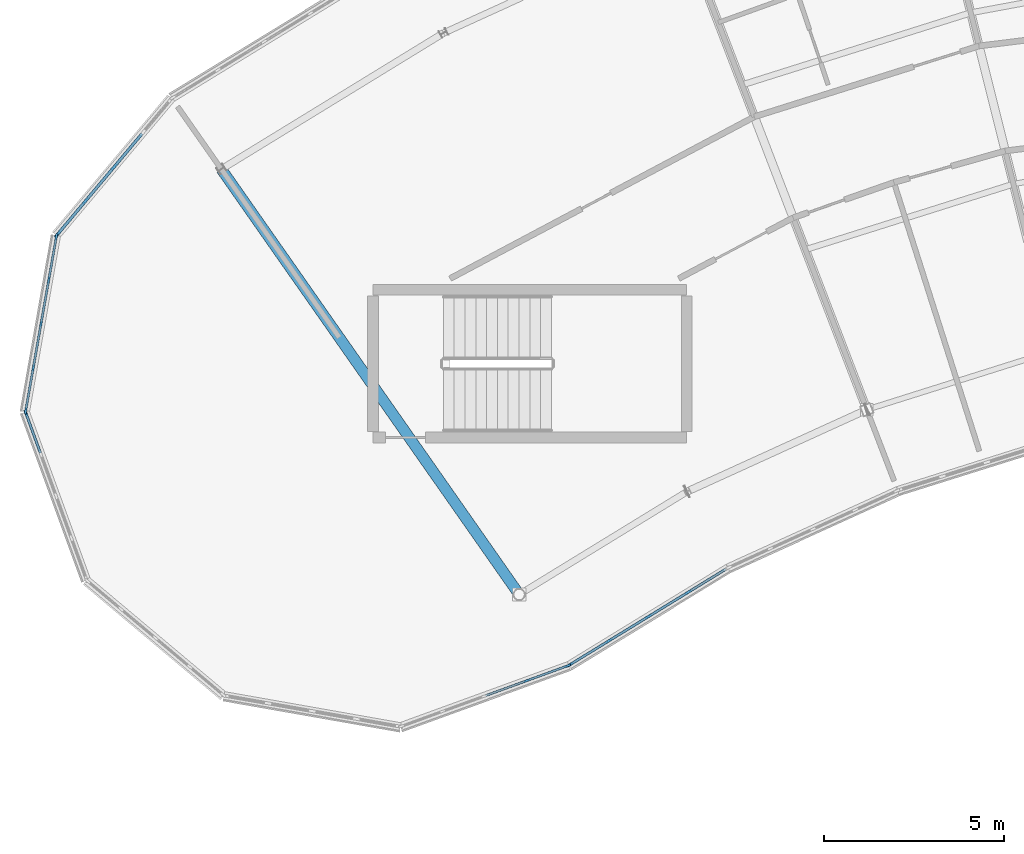
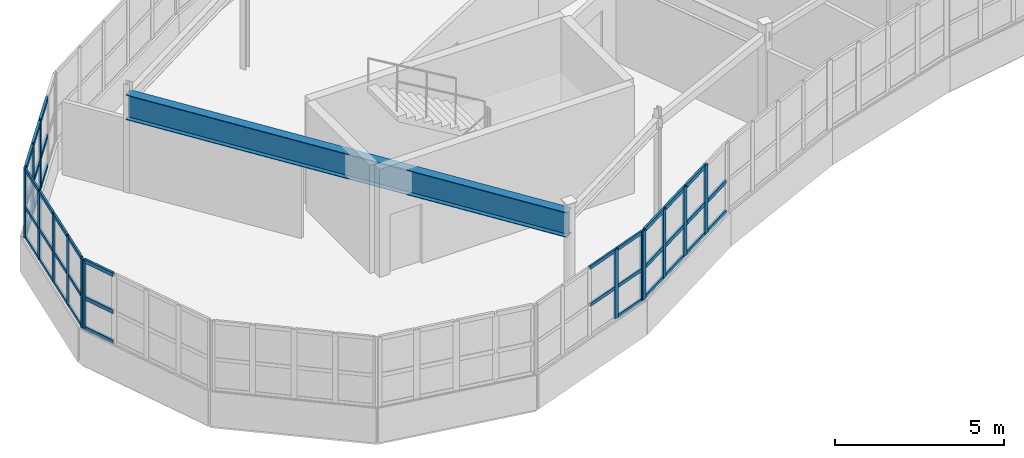
# One storey, part 33 of 79: 55 members, 1 beam, 5 elements without a shape of their own.
"""IFC4 building model written with IfcOpenShell, lengths in metres."""

import ifcopenshell
import ifcopenshell.guid

model = None  # the IFC model being written
_history = None  # IfcOwnerHistory: only IFC2X3 demands one
_inside = {}  # id of a spatial element -> (the spatial element, [elements in it])
_under = {}  # id of a project, library or spatial element -> (it, [spatial elements below it])
_declared = {}  # id of a project -> (the project, [libraries it declares])
_typed = {}  # id of a type object -> (the type object, [elements of that type])
_made_of = {}  # id of a material, layer set ... -> (it, [elements and type objects made of it])


def new_model(schema):
    """Start an empty IFC model of exactly this schema.

    Asked for "IFC4X3", IfcOpenShell would pick the latest addendum, in which some entities
    have other attributes; the version numbers below select the first issue.
    IFC2X3 requires an IfcOwnerHistory on every rooted entity: one is made here for all.
    """
    global model, _history
    if schema == "IFC4X3":
        model = ifcopenshell.file(schema_version=(4, 3, 0, 0))
    else:
        model = ifcopenshell.file(schema=schema)
    _inside.clear()
    _under.clear()
    _declared.clear()
    _typed.clear()
    _made_of.clear()
    _history = None
    if model.schema == "IFC2X3":
        org = make("IfcOrganization", Name="unknown")
        user = make(
            "IfcPersonAndOrganization",
            ThePerson=make("IfcPerson", FamilyName="unknown"),
            TheOrganization=org,
        )
        app = make(
            "IfcApplication",
            ApplicationDeveloper=org,
            Version="unknown",
            ApplicationFullName="unknown",
            ApplicationIdentifier="unknown",
        )
        _history = make(
            "IfcOwnerHistory",
            OwningUser=user,
            OwningApplication=app,
            ChangeAction="ADDED",
            CreationDate=0,
        )
    return model


def make(cls, **values):
    """One entity of the class cls with the attributes given. An attribute that is None is left unset."""
    return model.create_entity(
        cls, **{name: value for name, value in values.items() if value is not None}
    )


def rooted(cls, **values):
    """An entity with a GlobalId (a new one), such as an element, a storey or a relation."""
    return make(cls, GlobalId=ifcopenshell.guid.new(), OwnerHistory=_history, **values)


def si_unit(unit_type, name, prefix=None):
    """IfcSIUnit, for example si_unit("LENGTHUNIT", "METRE", prefix="MILLI")."""
    return make("IfcSIUnit", UnitType=unit_type, Prefix=prefix, Name=name)


def assignment(units):
    """IfcUnitAssignment: the units of a project."""
    return None if units is None else make("IfcUnitAssignment", Units=units)


def point(xyz):
    """IfcCartesianPoint."""
    return None if xyz is None else make("IfcCartesianPoint", Coordinates=xyz)


def direction(xyz):
    """IfcDirection."""
    return None if xyz is None else make("IfcDirection", DirectionRatios=xyz)


def frame(location, z_axis=None, x_axis=None):
    """IfcAxis2Placement3D, a coordinate frame: its origin and axes. An axis left out is left unset."""
    return make(
        "IfcAxis2Placement3D",
        Location=point(location),
        Axis=direction(z_axis),
        RefDirection=direction(x_axis),
    )


def frame_2d(location, x_axis=None):
    """IfcAxis2Placement2D, a coordinate frame in the plane: its origin and x axis."""
    return make(
        "IfcAxis2Placement2D", Location=point(location), RefDirection=direction(x_axis)
    )


def origin():
    """The frame at (0, 0, 0) with its axes left unset."""
    return frame((0.0, 0.0, 0.0))


def origin_2d():
    """The frame at (0, 0) in the plane with its x axis left unset."""
    return frame_2d((0.0, 0.0))


def place(relative_to, where):
    """IfcLocalPlacement: puts the frame where relative to a parent placement (None: the world)."""
    return make(
        "IfcLocalPlacement", PlacementRelTo=relative_to, RelativePlacement=where
    )


def context(
    kind, dimensions, precision=None, world=None, true_north=None, identifier=None
):
    """IfcGeometricRepresentationContext, for example the 3D "Model" context."""
    return make(
        "IfcGeometricRepresentationContext",
        ContextIdentifier=identifier,
        ContextType=kind,
        CoordinateSpaceDimension=dimensions,
        Precision=precision,
        WorldCoordinateSystem=world,
        TrueNorth=true_north,
    )


def subcontext(parent, identifier, kind, view, scale=None):
    """IfcGeometricRepresentationSubContext, for example "Body" below "Model"."""
    return make(
        "IfcGeometricRepresentationSubContext",
        ContextIdentifier=identifier,
        ContextType=kind,
        ParentContext=parent,
        TargetScale=scale,
        TargetView=view,
    )


def project(units=None, contexts=None):
    """IfcProject with its units and contexts."""
    return rooted(
        "IfcProject",
        Name="project",
        RepresentationContexts=contexts,
        UnitsInContext=assignment(units),
    )


def spatial(cls, under=None, at=None, **own):
    """A site, building, storey or space (cls), placed at a placement, below another one or the project."""
    s = rooted(cls, ObjectPlacement=at, **own)
    if under is not None:
        _under.setdefault(under.id(), (under, []))[1].append(s)
    return s


def profile(cls, at=None, kind="AREA", **sizes):
    """A parametric profile (cls). Its sizes go by their IFC names, for example OverallWidth=200.0."""
    return make(cls, ProfileType=kind, Position=at, **sizes)


def rectangle(**sizes):
    """IfcRectangleProfileDef."""
    return profile("IfcRectangleProfileDef", **sizes)


def i_section(**sizes):
    """IfcIShapeProfileDef."""
    return profile("IfcIShapeProfileDef", **sizes)


def extrude(swept, where, along, depth):
    """IfcExtrudedAreaSolid: the profile swept, set in the frame where, extruded along a direction by depth."""
    return make(
        "IfcExtrudedAreaSolid",
        SweptArea=swept,
        Position=where,
        ExtrudedDirection=direction(along),
        Depth=depth,
    )


def shape(context_of_items, identifier, shape_type, items):
    """IfcShapeRepresentation: the items that make up one representation, for example the "Body"."""
    return make(
        "IfcShapeRepresentation",
        ContextOfItems=context_of_items,
        RepresentationIdentifier=identifier,
        RepresentationType=shape_type,
        Items=items,
    )


def material(Name=None, Category=None):
    """IfcMaterial."""
    return make("IfcMaterial", Name=Name, Category=Category)


def layer(
    of_material, thickness, ventilated=None, Name=None, Category=None, Priority=None
):
    """IfcMaterialLayer: one layer of a wall or slab, of a material (None: an air gap)."""
    return make(
        "IfcMaterialLayer",
        Material=of_material,
        LayerThickness=thickness,
        IsVentilated=ventilated,
        Name=Name,
        Category=Category,
        Priority=Priority,
    )


def layer_set(layers, Name=None):
    """IfcMaterialLayerSet."""
    return make("IfcMaterialLayerSet", MaterialLayers=layers, LayerSetName=Name)


def material_profile(
    of_material, cross_section, Name=None, Category=None, Priority=None
):
    """IfcMaterialProfile: a cross section and its material."""
    return make(
        "IfcMaterialProfile",
        Name=Name,
        Material=of_material,
        Profile=cross_section,
        Priority=Priority,
        Category=Category,
    )


def profile_set(profiles, Name=None, composite=None):
    """IfcMaterialProfileSet."""
    return make(
        "IfcMaterialProfileSet",
        Name=Name,
        MaterialProfiles=profiles,
        CompositeProfile=composite,
    )


def made_of(thing, what):
    """Note that an element or type object is made of a material, layer set ...; save() writes the relation."""
    if what is not None:
        _made_of.setdefault(what.id(), (what, []))[1].append(thing)
    return thing


def type_object(cls, material=None, **own):
    """A type object (cls), such as IfcWallType, which elements share."""
    return made_of(rooted(cls, **own), material)


def element(
    cls,
    number,
    at=None,
    inside=None,
    cuts=None,
    type_object=None,
    material=None,
    context=None,
    identifier="Body",
    shape_type=None,
    held_by="IfcProductDefinitionShape",
    body=None,
    shapes=None,
    **own,
):
    """One element of the class cls, such as IfcWall. Its Tag is "e" and its number.

    at: its placement. inside: the storey or other place that contains it. cuts: it is an
    opening in that element (IfcRelVoidsElement). A single representation is given by context,
    identifier, shape_type and body (its items); several are given by shapes. held_by: the class
    of the entity that holds the representations. save() writes the other relations.
    """
    e = rooted(cls, Tag="e%d" % number, ObjectPlacement=at, **own)
    if body is not None:
        shapes = [shape(context, identifier, shape_type, body)]
    if shapes is not None:
        e.Representation = make(held_by, Representations=shapes)
    if inside is not None:
        _inside.setdefault(inside.id(), (inside, []))[1].append(e)
    if cuts is not None:
        rooted(
            "IfcRelVoidsElement", RelatingBuildingElement=cuts, RelatedOpeningElement=e
        )
    if type_object is not None:
        _typed.setdefault(type_object.id(), (type_object, []))[1].append(e)
    return made_of(e, material)


def aggregate(whole, parts):
    """IfcRelAggregates: a whole, such as a stair, and the parts it consists of."""
    return rooted("IfcRelAggregates", RelatingObject=whole, RelatedObjects=parts)


def save(model, path):
    """Write the relations noted so far, then the file.

    IfcRelAggregates (storeys below a building ...), IfcRelContainedInSpatialStructure (elements
    in a storey), IfcRelDefinesByType, IfcRelAssociatesMaterial and IfcRelDeclares: one each for
    every whole, place, type object, material and project.
    """
    for whole, parts in _under.values():
        aggregate(whole, parts)
    for where, things in _inside.values():
        rooted(
            "IfcRelContainedInSpatialStructure",
            RelatedElements=things,
            RelatingStructure=where,
        )
    for kind, things in _typed.values():
        rooted("IfcRelDefinesByType", RelatedObjects=things, RelatingType=kind)
    for what, things in _made_of.values():
        rooted("IfcRelAssociatesMaterial", RelatedObjects=things, RelatingMaterial=what)
    for by, libraries in _declared.values():
        rooted("IfcRelDeclares", RelatingContext=by, RelatedDefinitions=libraries)
    model.write(path)


model = new_model("IFC4")

# Units and contexts
model_context = context("Model", 3, precision=1e-05, world=origin(), true_north=direction((0.0, 1.0)))
body_context = subcontext(model_context, "Body", "Model", "MODEL_VIEW")
ifc_project = project(units=[si_unit("LENGTHUNIT", "METRE"), si_unit("AREAUNIT", "SQUARE_METRE"), si_unit("VOLUMEUNIT", "CUBIC_METRE"), si_unit("PLANEANGLEUNIT", "RADIAN"), si_unit("MASSUNIT", "GRAM", prefix="KILO")], contexts=[model_context])

# Site, building, storey
site_placement = place(None, origin())
site = spatial("IfcSite", under=ifc_project, at=site_placement, CompositionType="ELEMENT")
building_placement = place(site_placement, origin())
building = spatial("IfcBuilding", under=site, at=building_placement, Name="Tarnwether General Hospital", CompositionType="ELEMENT")
storey_placement = place(building_placement, frame((0.0, 0.0, 18.300048828125)))
storey = spatial("IfcBuildingStorey", under=building, at=storey_placement, Name="L04", CompositionType="ELEMENT", Elevation=18.300048828125)

# Beam
ifc_material_1 = material(Name="Steel Grade 350 (350 MPa)", Category="steel")
ifc_material_profile_1 = material_profile(ifc_material_1, i_section(OverallWidth=0.300048828125, OverallDepth=0.89990234375, WebThickness=0.011962890625, FlangeThickness=0.02001953125, at=origin_2d()), Name="900WB175")
ifc_profile_set_1 = profile_set([ifc_material_profile_1], Name="Steel Grade 350 (350 MPa)")
beam_type = type_object("IfcBeamType", Name="BM-G01", PredefinedType="BEAM", material=ifc_profile_set_1)
beam_placement = place(storey_placement, frame((58.0439453125, 111.493896484375, 3.10986328125), z_axis=(0.573596601347, -0.819137924237, 0.0), x_axis=(0.819137924237, 0.573596601347, 0.0)))
element("IfcBeam", 1, at=beam_placement, inside=storey, type_object=beam_type, Name="Curved Ward NW Radial Girder BMG-L04-5804_11149-6630_9970-1949", PredefinedType="BEAM", context=body_context, shape_type="SweptSolid", body=[
    extrude(i_section(OverallWidth=0.300048828125, OverallDepth=0.89990234375, WebThickness=0.011962890625, FlangeThickness=0.02001953125, at=origin_2d()), origin(), (0.0, 0.0, 1.0), 14.400390625),
])

# Curtain wall, members
ifc_material_2 = material(Name="Anodised aluminium", Category="aluminium")
ifc_layer = layer(ifc_material_2, 0.159912109375)
ifc_layer_set = layer_set([ifc_layer], Name="Anodised aluminium")
curtain_wall_type = type_object("IfcCurtainWallType", Name="CW-04", PredefinedType="NOTDEFINED", material=ifc_layer_set)
curtain_wall_1_placement = place(storey_placement, origin())
curtain_wall_1 = element("IfcCurtainWall", 2, at=curtain_wall_1_placement, inside=storey, type_object=curtain_wall_type, Name="Curtain Wall CWG-L04-526_1048-0033", PredefinedType="NOTDEFINED")
ifc_material_3 = material(Name="Anodised aluminium", Category="aluminium")
ifc_material_profile_2 = material_profile(ifc_material_3, rectangle(XDim=0.06005859375, YDim=0.159912109375, at=origin_2d()), Name="ALU-MUL-60x160")
ifc_profile_set_2 = profile_set([ifc_material_profile_2], Name="Anodised aluminium")
member_type_1 = type_object("IfcMemberType", Name="CW-ML1", PredefinedType="MULLION", material=ifc_profile_set_2)
member_1_placement = place(storey_placement, frame((52.6162109375, 104.78857421875, 1.050048828125), z_axis=(0.0, 0.0, 1.0), x_axis=(-0.984840230098, 0.173463890135, 0.0)))
member_1 = element("IfcMember", 3, at=member_1_placement, type_object=member_type_1, Name="CW-04 mullion 1", PredefinedType="MULLION", context=body_context, shape_type="SweptSolid", body=[
    extrude(rectangle(XDim=0.06005859375, YDim=0.159912109375, at=origin_2d()), origin(), (0.0, 0.0, 1.0), 2.489990234375),
])
member_2_placement = place(storey_placement, frame((52.826416015625, 105.982421875, 1.050048828125), z_axis=(0.0, 0.0, 1.0), x_axis=(-0.984840230098, 0.173463890135, 0.0)))
member_2 = element("IfcMember", 4, at=member_2_placement, type_object=member_type_1, Name="CW-04 mullion 2", PredefinedType="MULLION", context=body_context, shape_type="SweptSolid", body=[
    extrude(rectangle(XDim=0.06005859375, YDim=0.159912109375, at=origin_2d()), origin(), (0.0, 0.0, 1.0), 2.489990234375),
])
member_3_placement = place(storey_placement, frame((53.0419921875, 107.2060546875, 1.050048828125), z_axis=(0.0, 0.0, 1.0), x_axis=(-0.984840230098, 0.173463890135, 0.0)))
member_3 = element("IfcMember", 5, at=member_3_placement, type_object=member_type_1, Name="CW-04 mullion 3", PredefinedType="MULLION", context=body_context, shape_type="SweptSolid", body=[
    extrude(rectangle(XDim=0.06005859375, YDim=0.159912109375, at=origin_2d()), origin(), (0.0, 0.0, 1.0), 2.489990234375),
])
member_4_placement = place(storey_placement, frame((53.257568359375, 108.429443359375, 1.050048828125), z_axis=(0.0, 0.0, 1.0), x_axis=(-0.984840230098, 0.173463890135, 0.0)))
member_4 = element("IfcMember", 6, at=member_4_placement, type_object=member_type_1, Name="CW-04 mullion 4", PredefinedType="MULLION", context=body_context, shape_type="SweptSolid", body=[
    extrude(rectangle(XDim=0.06005859375, YDim=0.159912109375, at=origin_2d()), origin(), (0.0, 0.0, 1.0), 2.489990234375),
])
member_5_placement = place(storey_placement, frame((53.4677734375, 109.62353515625, 1.050048828125), z_axis=(0.0, 0.0, 1.0), x_axis=(-0.984840230098, 0.173463890135, 0.0)))
member_5 = element("IfcMember", 7, at=member_5_placement, type_object=member_type_1, Name="CW-04 mullion 5", PredefinedType="MULLION", context=body_context, shape_type="SweptSolid", body=[
    extrude(rectangle(XDim=0.06005859375, YDim=0.159912109375, at=origin_2d()), origin(), (0.0, 0.0, 1.0), 2.489990234375),
])

curtain_wall_2_placement = place(storey_placement, origin())
curtain_wall_2 = element("IfcCurtainWall", 8, at=curtain_wall_2_placement, inside=storey, type_object=curtain_wall_type, Name="Curtain Wall CWG-L04-677_977-0037", PredefinedType="NOTDEFINED")
member_6_placement = place(storey_placement, frame((67.65185546875, 97.7216796875, 1.050048828125), z_axis=(0.0, 0.0, 1.0), x_axis=(0.342130850834, -0.939652319163, 0.0)))
member_6 = element("IfcMember", 9, at=member_6_placement, type_object=member_type_1, Name="CW-04 mullion 1", PredefinedType="MULLION", context=body_context, shape_type="SweptSolid", body=[
    extrude(rectangle(XDim=0.06005859375, YDim=0.159912109375, at=origin_2d()), origin(), (0.0, 0.0, 1.0), 2.489990234375),
])
member_7_placement = place(storey_placement, frame((66.5126953125, 97.306884765625, 1.050048828125), z_axis=(0.0, 0.0, 1.0), x_axis=(0.342130850834, -0.939652319163, 0.0)))
member_7 = element("IfcMember", 10, at=member_7_placement, type_object=member_type_1, Name="CW-04 mullion 2", PredefinedType="MULLION", context=body_context, shape_type="SweptSolid", body=[
    extrude(rectangle(XDim=0.06005859375, YDim=0.159912109375, at=origin_2d()), origin(), (0.0, 0.0, 1.0), 2.489990234375),
])

# Curtain wall, member
curtain_wall_3_placement = place(storey_placement, origin())
curtain_wall_3 = element("IfcCurtainWall", 11, at=curtain_wall_3_placement, inside=storey, type_object=curtain_wall_type, Name="Curtain Wall CWG-L04-543_1001-0034", PredefinedType="NOTDEFINED")
ifc_material_4 = material(Name="Anodised aluminium", Category="aluminium")
ifc_material_profile_3 = material_profile(ifc_material_4, rectangle(XDim=0.070068359375, YDim=0.179931640625, at=origin_2d()), Name="ALU-MUL-70x180")
ifc_profile_set_3 = profile_set([ifc_material_profile_3], Name="Anodised aluminium")
member_type_2 = type_object("IfcMemberType", Name="CW-ML2", PredefinedType="MULLION", material=ifc_profile_set_3)
member_8_placement = place(storey_placement, frame((52.623046875, 104.72607421875, 1.050048828125), z_axis=(0.0, 0.0, 1.0), x_axis=(-0.939717006582, -0.341953136469, 0.0)))
member_8 = element("IfcMember", 12, at=member_8_placement, type_object=member_type_2, Name="CW-04 mullion 5", PredefinedType="MULLION", context=body_context, shape_type="SweptSolid", body=[
    extrude(rectangle(XDim=0.070068359375, YDim=0.179931640625, at=origin_2d()), origin(), (0.0, 0.0, 1.0), 2.489990234375),
])

# Curtain wall, members
curtain_wall_4_placement = place(storey_placement, origin())
curtain_wall_4 = element("IfcCurtainWall", 13, at=curtain_wall_4_placement, inside=storey, type_object=curtain_wall_type, Name="Curtain Wall CWG-L04-721_1004-0038", PredefinedType="NOTDEFINED")
member_9_placement = place(storey_placement, frame((70.990478515625, 99.7607421875, 1.050048828125), z_axis=(0.0, 0.0, 1.0), x_axis=(0.522512231483, -0.852631789198, 0.0)))
member_9 = element("IfcMember", 14, at=member_9_placement, type_object=member_type_2, Name="CW-04 mullion 2", PredefinedType="MULLION", context=body_context, shape_type="SweptSolid", body=[
    extrude(rectangle(XDim=0.070068359375, YDim=0.179931640625, at=origin_2d()), origin(), (0.0, 0.0, 1.0), 2.489990234375),
])
member_10_placement = place(storey_placement, frame((69.886962890625, 99.08447265625, 1.050048828125), z_axis=(0.0, 0.0, 1.0), x_axis=(0.522512231483, -0.852631789198, 0.0)))
member_10 = element("IfcMember", 15, at=member_10_placement, type_object=member_type_2, Name="CW-04 mullion 3", PredefinedType="MULLION", context=body_context, shape_type="SweptSolid", body=[
    extrude(rectangle(XDim=0.070068359375, YDim=0.179931640625, at=origin_2d()), origin(), (0.0, 0.0, 1.0), 2.489990234375),
])
member_11_placement = place(storey_placement, frame((68.783447265625, 98.408203125, 1.050048828125), z_axis=(0.0, 0.0, 1.0), x_axis=(0.522512231483, -0.852631789198, 0.0)))
member_11 = element("IfcMember", 16, at=member_11_placement, type_object=member_type_2, Name="CW-04 mullion 4", PredefinedType="MULLION", context=body_context, shape_type="SweptSolid", body=[
    extrude(rectangle(XDim=0.070068359375, YDim=0.179931640625, at=origin_2d()), origin(), (0.0, 0.0, 1.0), 2.489990234375),
])
member_12_placement = place(storey_placement, frame((67.7099609375, 97.750244140625, 1.050048828125), z_axis=(0.0, 0.0, 1.0), x_axis=(0.522512231483, -0.852631789198, 0.0)))
member_12 = element("IfcMember", 17, at=member_12_placement, type_object=member_type_2, Name="CW-04 mullion 5", PredefinedType="MULLION", context=body_context, shape_type="SweptSolid", body=[
    extrude(rectangle(XDim=0.070068359375, YDim=0.179931640625, at=origin_2d()), origin(), (0.0, 0.0, 1.0), 2.489990234375),
])

curtain_wall_5_placement = place(storey_placement, origin())
curtain_wall_5 = element("IfcCurtainWall", 18, at=curtain_wall_5_placement, inside=storey, type_object=curtain_wall_type, Name="Curtain Wall CWG-L04-535_1097-0064", PredefinedType="NOTDEFINED")
ifc_material_5 = material(Name="Anodised aluminium", Category="aluminium")
ifc_material_profile_4 = material_profile(ifc_material_5, rectangle(XDim=0.080078125, YDim=0.199951171875, at=origin_2d()), Name="ALU-MUL-80x200")
ifc_profile_set_4 = profile_set([ifc_material_profile_4], Name="Anodised aluminium")
member_type_3 = type_object("IfcMemberType", Name="CW-ML4", PredefinedType="MULLION", material=ifc_profile_set_4)
member_13_placement = place(storey_placement, frame((53.498779296875, 109.68359375, 1.050048828125), z_axis=(0.0, 0.0, 1.0), x_axis=(-0.765990176896, 0.64285227611, 0.0)))
member_13 = element("IfcMember", 19, at=member_13_placement, type_object=member_type_3, Name="CW-04 mullion 1", PredefinedType="MULLION", context=body_context, shape_type="SweptSolid", body=[
    extrude(rectangle(XDim=0.080078125, YDim=0.199951171875, at=origin_2d()), origin(), (0.0, 0.0, 1.0), 2.489990234375),
])
member_14_placement = place(storey_placement, frame((54.271728515625, 110.604736328125, 1.050048828125), z_axis=(0.0, 0.0, 1.0), x_axis=(-0.765990176896, 0.64285227611, 0.0)))
member_14 = element("IfcMember", 20, at=member_14_placement, type_object=member_type_3, Name="CW-04 mullion 2", PredefinedType="MULLION", context=body_context, shape_type="SweptSolid", body=[
    extrude(rectangle(XDim=0.080078125, YDim=0.199951171875, at=origin_2d()), origin(), (0.0, 0.0, 1.0), 2.489990234375),
])
member_15_placement = place(storey_placement, frame((55.070556640625, 111.556396484375, 1.050048828125), z_axis=(0.0, 0.0, 1.0), x_axis=(-0.765990176896, 0.64285227611, 0.0)))
member_15 = element("IfcMember", 21, at=member_15_placement, type_object=member_type_3, Name="CW-04 mullion 3", PredefinedType="MULLION", context=body_context, shape_type="SweptSolid", body=[
    extrude(rectangle(XDim=0.080078125, YDim=0.199951171875, at=origin_2d()), origin(), (0.0, 0.0, 1.0), 2.489990234375),
])

# Member
ifc_material_6 = material(Name="Anodised aluminium", Category="aluminium")
ifc_material_profile_5 = material_profile(ifc_material_6, rectangle(XDim=0.06005859375, YDim=0.1201171875, at=origin_2d()), Name="ALU-TRN-60x120")
ifc_profile_set_5 = profile_set([ifc_material_profile_5], Name="Anodised aluminium")
member_type_4 = type_object("IfcMemberType", Name="CW-TR1", PredefinedType="USERDEFINED", material=ifc_profile_set_5)
member_16_placement = place(storey_placement, frame((52.621337890625, 104.818115234375, 1.079833984375), z_axis=(0.173531496142, 0.984828319986, 0.0), x_axis=(-0.984828319986, 0.173531496142, 0.0)))
member_16 = element("IfcMember", 22, at=member_16_placement, type_object=member_type_4, Name="CW-04 transom 1.1", ObjectType="TRANSOM", PredefinedType="USERDEFINED", context=body_context, shape_type="SweptSolid", body=[
    extrude(rectangle(XDim=0.06005859375, YDim=0.1201171875, at=origin_2d()), origin(), (0.0, 0.0, 1.0), 1.15234375),
])

member_17_placement = place(storey_placement, frame((52.621337890625, 104.818115234375, 2.17041015625), z_axis=(0.173531496142, 0.984828319986, 0.0), x_axis=(-0.984828319986, 0.173531496142, 0.0)))
member_17 = element("IfcMember", 23, at=member_17_placement, type_object=member_type_4, Name="CW-04 transom 1.2", ObjectType="TRANSOM", PredefinedType="USERDEFINED", context=body_context, shape_type="SweptSolid", body=[
    extrude(rectangle(XDim=0.06005859375, YDim=0.1201171875, at=origin_2d()), origin(), (0.0, 0.0, 1.0), 1.15234375),
])

member_18_placement = place(storey_placement, frame((52.621337890625, 104.818115234375, 3.510009765625), z_axis=(0.173531496142, 0.984828319986, 0.0), x_axis=(-0.984828319986, 0.173531496142, 0.0)))
member_18 = element("IfcMember", 24, at=member_18_placement, type_object=member_type_4, Name="CW-04 transom 1.3", ObjectType="TRANSOM", PredefinedType="USERDEFINED", context=body_context, shape_type="SweptSolid", body=[
    extrude(rectangle(XDim=0.06005859375, YDim=0.1201171875, at=origin_2d()), origin(), (0.0, 0.0, 1.0), 1.15234375),
])

member_19_placement = place(storey_placement, frame((52.831787109375, 106.011962890625, 1.079833984375), z_axis=(0.173431973782, 0.984845851121, 0.0), x_axis=(-0.984845851121, 0.173431973782, 0.0)))
member_19 = element("IfcMember", 25, at=member_19_placement, type_object=member_type_4, Name="CW-04 transom 2.1", ObjectType="TRANSOM", PredefinedType="USERDEFINED", context=body_context, shape_type="SweptSolid", body=[
    extrude(rectangle(XDim=0.06005859375, YDim=0.1201171875, at=origin_2d()), origin(), (0.0, 0.0, 1.0), 1.182373046875),
])

member_20_placement = place(storey_placement, frame((52.831787109375, 106.011962890625, 2.17041015625), z_axis=(0.173431973782, 0.984845851121, 0.0), x_axis=(-0.984845851121, 0.173431973782, 0.0)))
member_20 = element("IfcMember", 26, at=member_20_placement, type_object=member_type_4, Name="CW-04 transom 2.2", ObjectType="TRANSOM", PredefinedType="USERDEFINED", context=body_context, shape_type="SweptSolid", body=[
    extrude(rectangle(XDim=0.06005859375, YDim=0.1201171875, at=origin_2d()), origin(), (0.0, 0.0, 1.0), 1.182373046875),
])

member_21_placement = place(storey_placement, frame((52.831787109375, 106.011962890625, 3.510009765625), z_axis=(0.173431973782, 0.984845851121, 0.0), x_axis=(-0.984845851121, 0.173431973782, 0.0)))
member_21 = element("IfcMember", 27, at=member_21_placement, type_object=member_type_4, Name="CW-04 transom 2.3", ObjectType="TRANSOM", PredefinedType="USERDEFINED", context=body_context, shape_type="SweptSolid", body=[
    extrude(rectangle(XDim=0.06005859375, YDim=0.1201171875, at=origin_2d()), origin(), (0.0, 0.0, 1.0), 1.182373046875),
])

member_22_placement = place(storey_placement, frame((53.047119140625, 107.235595703125, 1.079833984375), z_axis=(0.173467246121, 0.984839638989, 0.0), x_axis=(-0.984839638989, 0.173467246121, 0.0)))
member_22 = element("IfcMember", 28, at=member_22_placement, type_object=member_type_4, Name="CW-04 transom 3.1", ObjectType="TRANSOM", PredefinedType="USERDEFINED", context=body_context, shape_type="SweptSolid", body=[
    extrude(rectangle(XDim=0.06005859375, YDim=0.1201171875, at=origin_2d()), origin(), (0.0, 0.0, 1.0), 1.18212890625),
])

member_23_placement = place(storey_placement, frame((53.047119140625, 107.235595703125, 2.17041015625), z_axis=(0.173467246121, 0.984839638989, 0.0), x_axis=(-0.984839638989, 0.173467246121, 0.0)))
member_23 = element("IfcMember", 29, at=member_23_placement, type_object=member_type_4, Name="CW-04 transom 3.2", ObjectType="TRANSOM", PredefinedType="USERDEFINED", context=body_context, shape_type="SweptSolid", body=[
    extrude(rectangle(XDim=0.06005859375, YDim=0.1201171875, at=origin_2d()), origin(), (0.0, 0.0, 1.0), 1.18212890625),
])

member_24_placement = place(storey_placement, frame((53.047119140625, 107.235595703125, 3.510009765625), z_axis=(0.173467246121, 0.984839638989, 0.0), x_axis=(-0.984839638989, 0.173467246121, 0.0)))
member_24 = element("IfcMember", 30, at=member_24_placement, type_object=member_type_4, Name="CW-04 transom 3.3", ObjectType="TRANSOM", PredefinedType="USERDEFINED", context=body_context, shape_type="SweptSolid", body=[
    extrude(rectangle(XDim=0.06005859375, YDim=0.1201171875, at=origin_2d()), origin(), (0.0, 0.0, 1.0), 1.18212890625),
])

member_25_placement = place(storey_placement, frame((53.2626953125, 108.458984375, 1.079833984375), z_axis=(0.173495293185, 0.984834698435, 0.0), x_axis=(-0.984834698435, 0.173495293185, 0.0)))
member_25 = element("IfcMember", 31, at=member_25_placement, type_object=member_type_4, Name="CW-04 transom 4.1", ObjectType="TRANSOM", PredefinedType="USERDEFINED", context=body_context, shape_type="SweptSolid", body=[
    extrude(rectangle(XDim=0.06005859375, YDim=0.1201171875, at=origin_2d()), origin(), (0.0, 0.0, 1.0), 1.152587890625),
])

member_26_placement = place(storey_placement, frame((53.2626953125, 108.458984375, 2.17041015625), z_axis=(0.173495293185, 0.984834698435, 0.0), x_axis=(-0.984834698435, 0.173495293185, 0.0)))
member_26 = element("IfcMember", 32, at=member_26_placement, type_object=member_type_4, Name="CW-04 transom 4.2", ObjectType="TRANSOM", PredefinedType="USERDEFINED", context=body_context, shape_type="SweptSolid", body=[
    extrude(rectangle(XDim=0.06005859375, YDim=0.1201171875, at=origin_2d()), origin(), (0.0, 0.0, 1.0), 1.152587890625),
])

member_27_placement = place(storey_placement, frame((53.2626953125, 108.458984375, 3.510009765625), z_axis=(0.173495293185, 0.984834698435, 0.0), x_axis=(-0.984834698435, 0.173495293185, 0.0)))
member_27 = element("IfcMember", 33, at=member_27_placement, type_object=member_type_4, Name="CW-04 transom 4.3", ObjectType="TRANSOM", PredefinedType="USERDEFINED", context=body_context, shape_type="SweptSolid", body=[
    extrude(rectangle(XDim=0.06005859375, YDim=0.1201171875, at=origin_2d()), origin(), (0.0, 0.0, 1.0), 1.152587890625),
])

aggregate(curtain_wall_1, [member_1, member_2, member_3, member_4, member_5, member_16, member_17, member_18, member_19, member_20, member_21, member_22, member_23, member_24, member_25, member_26, member_27])

member_28_placement = place(storey_placement, frame((67.62353515625, 97.71142578125, 1.079833984375), z_axis=(-0.939681996159, -0.342049332837, 0.0), x_axis=(0.342049332837, -0.939681996159, 0.0)))
member_28 = element("IfcMember", 34, at=member_28_placement, type_object=member_type_4, Name="CW-04 transom 1.1", ObjectType="TRANSOM", PredefinedType="USERDEFINED", context=body_context, shape_type="SweptSolid", body=[
    extrude(rectangle(XDim=0.06005859375, YDim=0.1201171875, at=origin_2d()), origin(), (0.0, 0.0, 1.0), 1.152099609375),
])

member_29_placement = place(storey_placement, frame((67.62353515625, 97.71142578125, 2.17041015625), z_axis=(-0.939681996159, -0.342049332837, 0.0), x_axis=(0.342049332837, -0.939681996159, 0.0)))
member_29 = element("IfcMember", 35, at=member_29_placement, type_object=member_type_4, Name="CW-04 transom 1.2", ObjectType="TRANSOM", PredefinedType="USERDEFINED", context=body_context, shape_type="SweptSolid", body=[
    extrude(rectangle(XDim=0.06005859375, YDim=0.1201171875, at=origin_2d()), origin(), (0.0, 0.0, 1.0), 1.152099609375),
])

member_30_placement = place(storey_placement, frame((67.62353515625, 97.71142578125, 3.510009765625), z_axis=(-0.939681996159, -0.342049332837, 0.0), x_axis=(0.342049332837, -0.939681996159, 0.0)))
member_30 = element("IfcMember", 36, at=member_30_placement, type_object=member_type_4, Name="CW-04 transom 1.3", ObjectType="TRANSOM", PredefinedType="USERDEFINED", context=body_context, shape_type="SweptSolid", body=[
    extrude(rectangle(XDim=0.06005859375, YDim=0.1201171875, at=origin_2d()), origin(), (0.0, 0.0, 1.0), 1.152099609375),
])

member_31_placement = place(storey_placement, frame((66.484619140625, 97.296630859375, 2.17041015625), z_axis=(-0.939696906367, -0.342008368559, 0.0), x_axis=(0.342008368559, -0.939696906367, 0.0)))
member_31 = element("IfcMember", 37, at=member_31_placement, type_object=member_type_4, Name="CW-04 transom 2.2", ObjectType="TRANSOM", PredefinedType="USERDEFINED", context=body_context, shape_type="SweptSolid", body=[
    extrude(rectangle(XDim=0.06005859375, YDim=0.1201171875, at=origin_2d()), origin(), (0.0, 0.0, 1.0), 1.18212890625),
])

member_32_placement = place(storey_placement, frame((66.484619140625, 97.296630859375, 3.510009765625), z_axis=(-0.939696906367, -0.342008368559, 0.0), x_axis=(0.342008368559, -0.939696906367, 0.0)))
member_32 = element("IfcMember", 38, at=member_32_placement, type_object=member_type_4, Name="CW-04 transom 2.3", ObjectType="TRANSOM", PredefinedType="USERDEFINED", context=body_context, shape_type="SweptSolid", body=[
    extrude(rectangle(XDim=0.06005859375, YDim=0.1201171875, at=origin_2d()), origin(), (0.0, 0.0, 1.0), 1.18212890625),
])

aggregate(curtain_wall_2, [member_6, member_7, member_28, member_29, member_30, member_31, member_32])

ifc_material_7 = material(Name="Anodised aluminium", Category="aluminium")
ifc_material_profile_6 = material_profile(ifc_material_7, rectangle(XDim=0.070068359375, YDim=0.139892578125, at=origin_2d()), Name="ALU-TRN-70x140")
ifc_profile_set_6 = profile_set([ifc_material_profile_6], Name="Anodised aluminium")
member_type_5 = type_object("IfcMemberType", Name="CW-TR2", PredefinedType="USERDEFINED", material=ifc_profile_set_6)
member_33_placement = place(storey_placement, frame((53.023681640625, 103.624755859375, 1.0849609375), z_axis=(-0.341881000608, 0.939743252928, 0.0), x_axis=(-0.939743252928, -0.341881000608, 0.0)))
member_33 = element("IfcMember", 39, at=member_33_placement, type_object=member_type_5, Name="CW-04 transom 4.1", ObjectType="TRANSOM", PredefinedType="USERDEFINED", context=body_context, shape_type="SweptSolid", body=[
    extrude(rectangle(XDim=0.070068359375, YDim=0.139892578125, at=origin_2d()), origin(), (0.0, 0.0, 1.0), 1.136962890625),
])

member_34_placement = place(storey_placement, frame((53.023681640625, 103.624755859375, 2.17041015625), z_axis=(-0.341881000608, 0.939743252928, 0.0), x_axis=(-0.939743252928, -0.341881000608, 0.0)))
member_34 = element("IfcMember", 40, at=member_34_placement, type_object=member_type_5, Name="CW-04 transom 4.2", ObjectType="TRANSOM", PredefinedType="USERDEFINED", context=body_context, shape_type="SweptSolid", body=[
    extrude(rectangle(XDim=0.070068359375, YDim=0.139892578125, at=origin_2d()), origin(), (0.0, 0.0, 1.0), 1.136962890625),
])

member_35_placement = place(storey_placement, frame((53.023681640625, 103.624755859375, 3.5048828125), z_axis=(-0.341881000608, 0.939743252928, 0.0), x_axis=(-0.939743252928, -0.341881000608, 0.0)))
member_35 = element("IfcMember", 41, at=member_35_placement, type_object=member_type_5, Name="CW-04 transom 4.3", ObjectType="TRANSOM", PredefinedType="USERDEFINED", context=body_context, shape_type="SweptSolid", body=[
    extrude(rectangle(XDim=0.070068359375, YDim=0.139892578125, at=origin_2d()), origin(), (0.0, 0.0, 1.0), 1.136962890625),
])

aggregate(curtain_wall_3, [member_8, member_33, member_34, member_35])

member_36_placement = place(storey_placement, frame((72.034423828125, 100.400390625, 1.0849609375), z_axis=(-0.852692694866, -0.522412833037, 0.0), x_axis=(0.522412833037, -0.852692694866, 0.0)))
member_36 = element("IfcMember", 42, at=member_36_placement, type_object=member_type_5, Name="CW-04 transom 1.1", ObjectType="TRANSOM", PredefinedType="USERDEFINED", context=body_context, shape_type="SweptSolid", body=[
    extrude(rectangle(XDim=0.070068359375, YDim=0.139892578125, at=origin_2d()), origin(), (0.0, 0.0, 1.0), 1.189453125),
])

member_37_placement = place(storey_placement, frame((72.034423828125, 100.400390625, 2.17041015625), z_axis=(-0.852692694866, -0.522412833037, 0.0), x_axis=(0.522412833037, -0.852692694866, 0.0)))
member_37 = element("IfcMember", 43, at=member_37_placement, type_object=member_type_5, Name="CW-04 transom 1.2", ObjectType="TRANSOM", PredefinedType="USERDEFINED", context=body_context, shape_type="SweptSolid", body=[
    extrude(rectangle(XDim=0.070068359375, YDim=0.139892578125, at=origin_2d()), origin(), (0.0, 0.0, 1.0), 1.189453125),
])

member_38_placement = place(storey_placement, frame((70.960693359375, 99.742431640625, 1.0849609375), z_axis=(-0.852670027324, -0.522449829651, 0.0), x_axis=(0.522449829651, -0.852670027324, 0.0)))
member_38 = element("IfcMember", 44, at=member_38_placement, type_object=member_type_5, Name="CW-04 transom 2.1", ObjectType="TRANSOM", PredefinedType="USERDEFINED", context=body_context, shape_type="SweptSolid", body=[
    extrude(rectangle(XDim=0.070068359375, YDim=0.139892578125, at=origin_2d()), origin(), (0.0, 0.0, 1.0), 1.224365234375),
])

member_39_placement = place(storey_placement, frame((70.960693359375, 99.742431640625, 2.17041015625), z_axis=(-0.852670027324, -0.522449829651, 0.0), x_axis=(0.522449829651, -0.852670027324, 0.0)))
member_39 = element("IfcMember", 45, at=member_39_placement, type_object=member_type_5, Name="CW-04 transom 2.2", ObjectType="TRANSOM", PredefinedType="USERDEFINED", context=body_context, shape_type="SweptSolid", body=[
    extrude(rectangle(XDim=0.070068359375, YDim=0.139892578125, at=origin_2d()), origin(), (0.0, 0.0, 1.0), 1.224365234375),
])

member_40_placement = place(storey_placement, frame((70.960693359375, 99.742431640625, 3.5048828125), z_axis=(-0.852670027324, -0.522449829651, 0.0), x_axis=(0.522449829651, -0.852670027324, 0.0)))
member_40 = element("IfcMember", 46, at=member_40_placement, type_object=member_type_5, Name="CW-04 transom 2.3", ObjectType="TRANSOM", PredefinedType="USERDEFINED", context=body_context, shape_type="SweptSolid", body=[
    extrude(rectangle(XDim=0.070068359375, YDim=0.139892578125, at=origin_2d()), origin(), (0.0, 0.0, 1.0), 1.224365234375),
])

member_41_placement = place(storey_placement, frame((69.857177734375, 99.066162109375, 1.0849609375), z_axis=(-0.852670027324, -0.522449829651, 0.0), x_axis=(0.522449829651, -0.852670027324, 0.0)))
member_41 = element("IfcMember", 47, at=member_41_placement, type_object=member_type_5, Name="CW-04 transom 3.1", ObjectType="TRANSOM", PredefinedType="USERDEFINED", context=body_context, shape_type="SweptSolid", body=[
    extrude(rectangle(XDim=0.070068359375, YDim=0.139892578125, at=origin_2d()), origin(), (0.0, 0.0, 1.0), 1.224365234375),
])

member_42_placement = place(storey_placement, frame((69.857177734375, 99.066162109375, 2.17041015625), z_axis=(-0.852670027324, -0.522449829651, 0.0), x_axis=(0.522449829651, -0.852670027324, 0.0)))
member_42 = element("IfcMember", 48, at=member_42_placement, type_object=member_type_5, Name="CW-04 transom 3.2", ObjectType="TRANSOM", PredefinedType="USERDEFINED", context=body_context, shape_type="SweptSolid", body=[
    extrude(rectangle(XDim=0.070068359375, YDim=0.139892578125, at=origin_2d()), origin(), (0.0, 0.0, 1.0), 1.224365234375),
])

member_43_placement = place(storey_placement, frame((69.857177734375, 99.066162109375, 3.5048828125), z_axis=(-0.852670027324, -0.522449829651, 0.0), x_axis=(0.522449829651, -0.852670027324, 0.0)))
member_43 = element("IfcMember", 49, at=member_43_placement, type_object=member_type_5, Name="CW-04 transom 3.3", ObjectType="TRANSOM", PredefinedType="USERDEFINED", context=body_context, shape_type="SweptSolid", body=[
    extrude(rectangle(XDim=0.070068359375, YDim=0.139892578125, at=origin_2d()), origin(), (0.0, 0.0, 1.0), 1.224365234375),
])

member_44_placement = place(storey_placement, frame((68.753662109375, 98.389892578125, 1.0849609375), z_axis=(-0.852636658785, -0.522504285242, 0.0), x_axis=(0.522504285242, -0.852636658785, 0.0)))
member_44 = element("IfcMember", 50, at=member_44_placement, type_object=member_type_5, Name="CW-04 transom 4.1", ObjectType="TRANSOM", PredefinedType="USERDEFINED", context=body_context, shape_type="SweptSolid", body=[
    extrude(rectangle(XDim=0.070068359375, YDim=0.139892578125, at=origin_2d()), origin(), (0.0, 0.0, 1.0), 1.189208984375),
])

member_45_placement = place(storey_placement, frame((68.753662109375, 98.389892578125, 2.17041015625), z_axis=(-0.852636658785, -0.522504285242, 0.0), x_axis=(0.522504285242, -0.852636658785, 0.0)))
member_45 = element("IfcMember", 51, at=member_45_placement, type_object=member_type_5, Name="CW-04 transom 4.2", ObjectType="TRANSOM", PredefinedType="USERDEFINED", context=body_context, shape_type="SweptSolid", body=[
    extrude(rectangle(XDim=0.070068359375, YDim=0.139892578125, at=origin_2d()), origin(), (0.0, 0.0, 1.0), 1.189208984375),
])

member_46_placement = place(storey_placement, frame((68.753662109375, 98.389892578125, 3.5048828125), z_axis=(-0.852636658785, -0.522504285242, 0.0), x_axis=(0.522504285242, -0.852636658785, 0.0)))
member_46 = element("IfcMember", 52, at=member_46_placement, type_object=member_type_5, Name="CW-04 transom 4.3", ObjectType="TRANSOM", PredefinedType="USERDEFINED", context=body_context, shape_type="SweptSolid", body=[
    extrude(rectangle(XDim=0.070068359375, YDim=0.139892578125, at=origin_2d()), origin(), (0.0, 0.0, 1.0), 1.189208984375),
])

aggregate(curtain_wall_4, [member_9, member_10, member_11, member_12, member_36, member_37, member_38, member_39, member_40, member_41, member_42, member_43, member_44, member_45, member_46])

ifc_material_8 = material(Name="Anodised aluminium", Category="aluminium")
ifc_material_profile_7 = material_profile(ifc_material_8, rectangle(XDim=0.080078125, YDim=0.14990234375, at=origin_2d()), Name="ALU-TRN-80x150")
ifc_profile_set_7 = profile_set([ifc_material_profile_7], Name="Anodised aluminium")
member_type_6 = type_object("IfcMemberType", Name="CW-TR4", PredefinedType="USERDEFINED", material=ifc_profile_set_7)
member_47_placement = place(storey_placement, frame((53.5244140625, 109.71435546875, 1.08984375), z_axis=(0.642875805885, 0.765970429069, 0.0), x_axis=(-0.765970429069, 0.642875805885, 0.0)))
member_47 = element("IfcMember", 53, at=member_47_placement, type_object=member_type_6, Name="CW-04 transom 1.1", ObjectType="TRANSOM", PredefinedType="USERDEFINED", context=body_context, shape_type="SweptSolid", body=[
    extrude(rectangle(XDim=0.080078125, YDim=0.14990234375, at=origin_2d()), origin(), (0.0, 0.0, 1.0), 1.12255859375),
])

member_48_placement = place(storey_placement, frame((53.5244140625, 109.71435546875, 2.17041015625), z_axis=(0.642875805885, 0.765970429069, 0.0), x_axis=(-0.765970429069, 0.642875805885, 0.0)))
member_48 = element("IfcMember", 54, at=member_48_placement, type_object=member_type_6, Name="CW-04 transom 1.2", ObjectType="TRANSOM", PredefinedType="USERDEFINED", context=body_context, shape_type="SweptSolid", body=[
    extrude(rectangle(XDim=0.080078125, YDim=0.14990234375, at=origin_2d()), origin(), (0.0, 0.0, 1.0), 1.12255859375),
])

member_49_placement = place(storey_placement, frame((53.5244140625, 109.71435546875, 3.5), z_axis=(0.642875805885, 0.765970429069, 0.0), x_axis=(-0.765970429069, 0.642875805885, 0.0)))
member_49 = element("IfcMember", 55, at=member_49_placement, type_object=member_type_6, Name="CW-04 transom 1.3", ObjectType="TRANSOM", PredefinedType="USERDEFINED", context=body_context, shape_type="SweptSolid", body=[
    extrude(rectangle(XDim=0.080078125, YDim=0.14990234375, at=origin_2d()), origin(), (0.0, 0.0, 1.0), 1.12255859375),
])

member_50_placement = place(storey_placement, frame((54.29736328125, 110.635498046875, 1.08984375), z_axis=(0.642886651766, 0.765961326035, 0.0), x_axis=(-0.765961326035, 0.642886651766, 0.0)))
member_50 = element("IfcMember", 56, at=member_50_placement, type_object=member_type_6, Name="CW-04 transom 2.1", ObjectType="TRANSOM", PredefinedType="USERDEFINED", context=body_context, shape_type="SweptSolid", body=[
    extrude(rectangle(XDim=0.080078125, YDim=0.14990234375, at=origin_2d()), origin(), (0.0, 0.0, 1.0), 1.162353515625),
])

member_51_placement = place(storey_placement, frame((54.29736328125, 110.635498046875, 2.17041015625), z_axis=(0.642886651766, 0.765961326035, 0.0), x_axis=(-0.765961326035, 0.642886651766, 0.0)))
member_51 = element("IfcMember", 57, at=member_51_placement, type_object=member_type_6, Name="CW-04 transom 2.2", ObjectType="TRANSOM", PredefinedType="USERDEFINED", context=body_context, shape_type="SweptSolid", body=[
    extrude(rectangle(XDim=0.080078125, YDim=0.14990234375, at=origin_2d()), origin(), (0.0, 0.0, 1.0), 1.162353515625),
])

member_52_placement = place(storey_placement, frame((54.29736328125, 110.635498046875, 3.5), z_axis=(0.642886651766, 0.765961326035, 0.0), x_axis=(-0.765961326035, 0.642886651766, 0.0)))
member_52 = element("IfcMember", 58, at=member_52_placement, type_object=member_type_6, Name="CW-04 transom 2.3", ObjectType="TRANSOM", PredefinedType="USERDEFINED", context=body_context, shape_type="SweptSolid", body=[
    extrude(rectangle(XDim=0.080078125, YDim=0.14990234375, at=origin_2d()), origin(), (0.0, 0.0, 1.0), 1.162353515625),
])

member_53_placement = place(storey_placement, frame((55.09619140625, 111.587158203125, 1.08984375), z_axis=(0.642886651766, 0.765961326035, 0.0), x_axis=(-0.765961326035, 0.642886651766, 0.0)))
member_53 = element("IfcMember", 59, at=member_53_placement, type_object=member_type_6, Name="CW-04 transom 3.1", ObjectType="TRANSOM", PredefinedType="USERDEFINED", context=body_context, shape_type="SweptSolid", body=[
    extrude(rectangle(XDim=0.080078125, YDim=0.14990234375, at=origin_2d()), origin(), (0.0, 0.0, 1.0), 1.162353515625),
])

member_54_placement = place(storey_placement, frame((55.09619140625, 111.587158203125, 2.17041015625), z_axis=(0.642886651766, 0.765961326035, 0.0), x_axis=(-0.765961326035, 0.642886651766, 0.0)))
member_54 = element("IfcMember", 60, at=member_54_placement, type_object=member_type_6, Name="CW-04 transom 3.2", ObjectType="TRANSOM", PredefinedType="USERDEFINED", context=body_context, shape_type="SweptSolid", body=[
    extrude(rectangle(XDim=0.080078125, YDim=0.14990234375, at=origin_2d()), origin(), (0.0, 0.0, 1.0), 1.162353515625),
])

member_55_placement = place(storey_placement, frame((55.09619140625, 111.587158203125, 3.5), z_axis=(0.642886651766, 0.765961326035, 0.0), x_axis=(-0.765961326035, 0.642886651766, 0.0)))
member_55 = element("IfcMember", 61, at=member_55_placement, type_object=member_type_6, Name="CW-04 transom 3.3", ObjectType="TRANSOM", PredefinedType="USERDEFINED", context=body_context, shape_type="SweptSolid", body=[
    extrude(rectangle(XDim=0.080078125, YDim=0.14990234375, at=origin_2d()), origin(), (0.0, 0.0, 1.0), 1.162353515625),
])

aggregate(curtain_wall_5, [member_13, member_14, member_15, member_47, member_48, member_49, member_50, member_51, member_52, member_53, member_54, member_55])

save(model, "model.ifc")
